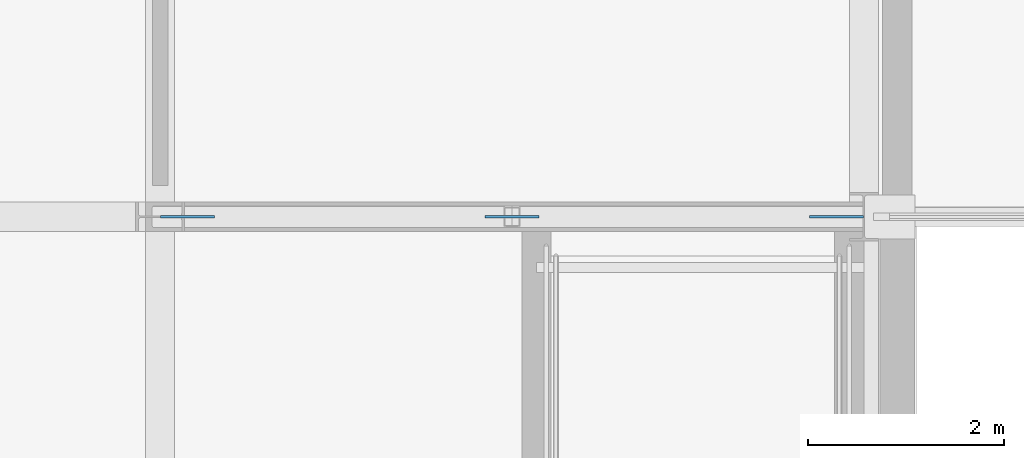
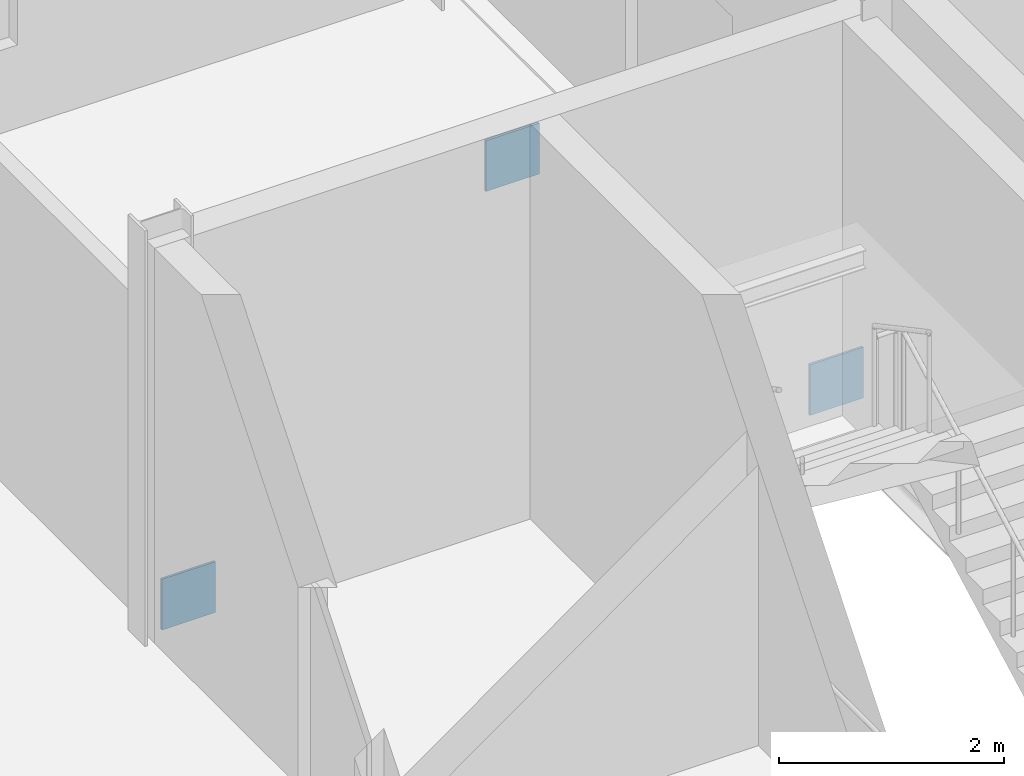
# One storey, part 49 of 92: 3 plates.
"""IFC4 building model written with IfcOpenShell, lengths in metres."""

from ifc_helpers import new_model, si_unit, direction, frame, origin, origin_2d, place, context, subcontext, project, spatial, rectangle, extrude, material, layer, layer_set, type_object, element, save


model = new_model("IFC4")

# Units and contexts
model_context = context("Model", 3, precision=1e-05, world=origin(), true_north=direction((0.0, 1.0)))
body_context = subcontext(model_context, "Body", "Model", "MODEL_VIEW")
ifc_project = project(units=[si_unit("LENGTHUNIT", "METRE"), si_unit("AREAUNIT", "SQUARE_METRE"), si_unit("VOLUMEUNIT", "CUBIC_METRE"), si_unit("PLANEANGLEUNIT", "RADIAN"), si_unit("MASSUNIT", "GRAM", prefix="KILO")], contexts=[model_context])

# Site, building, storey
site_placement = place(None, origin())
site = spatial("IfcSite", under=ifc_project, at=site_placement, CompositionType="ELEMENT")
building_placement = place(site_placement, origin())
building = spatial("IfcBuilding", under=site, at=building_placement, Name="Zlatovets Crest Museum", CompositionType="ELEMENT")
storey_placement = place(building_placement, origin())
storey = spatial("IfcBuildingStorey", under=building, at=storey_placement, Name="L00", CompositionType="ELEMENT", Elevation=0.0)

# Plates
ifc_material = material(Name="Structural steel S355J2", Category="steel")
ifc_layer = layer(ifc_material, 0.02490234375)
ifc_layer_set = layer_set([ifc_layer], Name="Structural steel S355J2")
plate_type = type_object("IfcPlateType", Name="Gusset_GP-01", PredefinedType="USERDEFINED", material=ifc_layer_set)
for number, where, z_axis, x_axis, name in (
    (1, (101.080078125, 21.60009765625, 0.0048828125), (0.0, 0.0, 1.0), (1.0, 0.0, 0.0), "V2 L00 Brace End Gusset Plate GP-01"),
    (2, (107.719970703125, 21.60009765625, 0.0048828125), (0.0, 0.0, 1.0), (1.0, 0.0, 0.0), "V2 L00 Brace End Gusset Plate GP-01"),
    (3, (104.39990234375, 21.60009765625, 3.59521484375), (0.0, 0.0, 1.0), (1.0, 0.0, 0.0), "V2 L00 Brace End Gusset Plate GP-01"),
):
    element("IfcPlate", number, at=place(storey_placement, frame(where, z_axis=z_axis, x_axis=x_axis)), inside=storey, type_object=plate_type, Name=name, ObjectType="GUSSET", PredefinedType="USERDEFINED", context=body_context, shape_type="SweptSolid", body=[
        extrude(rectangle(XDim=0.550048828125, YDim=0.02490234375, at=origin_2d()), origin(), (0.0, 0.0, 1.0), 0.550048828125),
    ])

save(model, "model.ifc")
